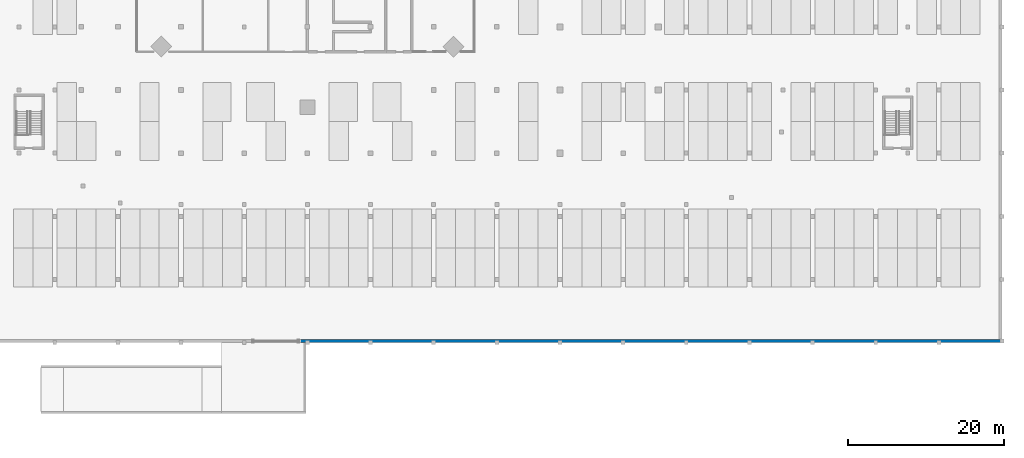
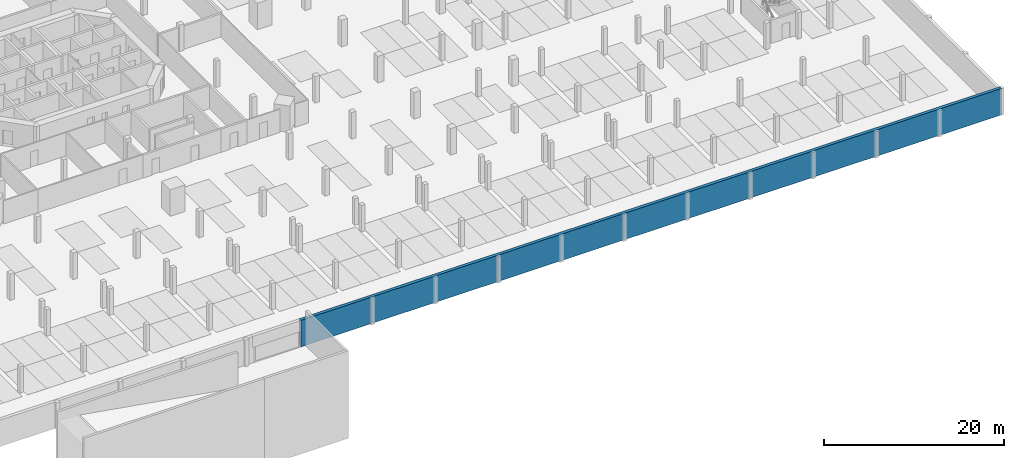
# One storey, part 5 of 14: 1 wall.
"""IFC4 building model written with IfcOpenShell, lengths in metres."""

import ifcopenshell
import ifcopenshell.guid

model = None  # the IFC model being written
_history = None  # IfcOwnerHistory: only IFC2X3 demands one
_inside = {}  # id of a spatial element -> (the spatial element, [elements in it])
_under = {}  # id of a project, library or spatial element -> (it, [spatial elements below it])
_declared = {}  # id of a project -> (the project, [libraries it declares])
_typed = {}  # id of a type object -> (the type object, [elements of that type])
_made_of = {}  # id of a material, layer set ... -> (it, [elements and type objects made of it])


def new_model(schema):
    """Start an empty IFC model of exactly this schema.

    Asked for "IFC4X3", IfcOpenShell would pick the latest addendum, in which some entities
    have other attributes; the version numbers below select the first issue.
    IFC2X3 requires an IfcOwnerHistory on every rooted entity: one is made here for all.
    """
    global model, _history
    if schema == "IFC4X3":
        model = ifcopenshell.file(schema_version=(4, 3, 0, 0))
    else:
        model = ifcopenshell.file(schema=schema)
    _inside.clear()
    _under.clear()
    _declared.clear()
    _typed.clear()
    _made_of.clear()
    _history = None
    if model.schema == "IFC2X3":
        org = make("IfcOrganization", Name="unknown")
        user = make(
            "IfcPersonAndOrganization",
            ThePerson=make("IfcPerson", FamilyName="unknown"),
            TheOrganization=org,
        )
        app = make(
            "IfcApplication",
            ApplicationDeveloper=org,
            Version="unknown",
            ApplicationFullName="unknown",
            ApplicationIdentifier="unknown",
        )
        _history = make(
            "IfcOwnerHistory",
            OwningUser=user,
            OwningApplication=app,
            ChangeAction="ADDED",
            CreationDate=0,
        )
    return model


def make(cls, **values):
    """One entity of the class cls with the attributes given. An attribute that is None is left unset."""
    return model.create_entity(
        cls, **{name: value for name, value in values.items() if value is not None}
    )


def rooted(cls, **values):
    """An entity with a GlobalId (a new one), such as an element, a storey or a relation."""
    return make(cls, GlobalId=ifcopenshell.guid.new(), OwnerHistory=_history, **values)


def si_unit(unit_type, name, prefix=None):
    """IfcSIUnit, for example si_unit("LENGTHUNIT", "METRE", prefix="MILLI")."""
    return make("IfcSIUnit", UnitType=unit_type, Prefix=prefix, Name=name)


def assignment(units):
    """IfcUnitAssignment: the units of a project."""
    return None if units is None else make("IfcUnitAssignment", Units=units)


def point(xyz):
    """IfcCartesianPoint."""
    return None if xyz is None else make("IfcCartesianPoint", Coordinates=xyz)


def direction(xyz):
    """IfcDirection."""
    return None if xyz is None else make("IfcDirection", DirectionRatios=xyz)


def frame(location, z_axis=None, x_axis=None):
    """IfcAxis2Placement3D, a coordinate frame: its origin and axes. An axis left out is left unset."""
    return make(
        "IfcAxis2Placement3D",
        Location=point(location),
        Axis=direction(z_axis),
        RefDirection=direction(x_axis),
    )


def frame_2d(location, x_axis=None):
    """IfcAxis2Placement2D, a coordinate frame in the plane: its origin and x axis."""
    return make(
        "IfcAxis2Placement2D", Location=point(location), RefDirection=direction(x_axis)
    )


def origin():
    """The frame at (0, 0, 0) with its axes left unset."""
    return frame((0.0, 0.0, 0.0))


def place(relative_to, where):
    """IfcLocalPlacement: puts the frame where relative to a parent placement (None: the world)."""
    return make(
        "IfcLocalPlacement", PlacementRelTo=relative_to, RelativePlacement=where
    )


def context(
    kind, dimensions, precision=None, world=None, true_north=None, identifier=None
):
    """IfcGeometricRepresentationContext, for example the 3D "Model" context."""
    return make(
        "IfcGeometricRepresentationContext",
        ContextIdentifier=identifier,
        ContextType=kind,
        CoordinateSpaceDimension=dimensions,
        Precision=precision,
        WorldCoordinateSystem=world,
        TrueNorth=true_north,
    )


def subcontext(parent, identifier, kind, view, scale=None):
    """IfcGeometricRepresentationSubContext, for example "Body" below "Model"."""
    return make(
        "IfcGeometricRepresentationSubContext",
        ContextIdentifier=identifier,
        ContextType=kind,
        ParentContext=parent,
        TargetScale=scale,
        TargetView=view,
    )


def project(units=None, contexts=None):
    """IfcProject with its units and contexts."""
    return rooted(
        "IfcProject",
        Name="project",
        RepresentationContexts=contexts,
        UnitsInContext=assignment(units),
    )


def spatial(cls, under=None, at=None, **own):
    """A site, building, storey or space (cls), placed at a placement, below another one or the project."""
    s = rooted(cls, ObjectPlacement=at, **own)
    if under is not None:
        _under.setdefault(under.id(), (under, []))[1].append(s)
    return s


def profile(cls, at=None, kind="AREA", **sizes):
    """A parametric profile (cls). Its sizes go by their IFC names, for example OverallWidth=200.0."""
    return make(cls, ProfileType=kind, Position=at, **sizes)


def rectangle(**sizes):
    """IfcRectangleProfileDef."""
    return profile("IfcRectangleProfileDef", **sizes)


def extrude(swept, where, along, depth):
    """IfcExtrudedAreaSolid: the profile swept, set in the frame where, extruded along a direction by depth."""
    return make(
        "IfcExtrudedAreaSolid",
        SweptArea=swept,
        Position=where,
        ExtrudedDirection=direction(along),
        Depth=depth,
    )


def shape(context_of_items, identifier, shape_type, items):
    """IfcShapeRepresentation: the items that make up one representation, for example the "Body"."""
    return make(
        "IfcShapeRepresentation",
        ContextOfItems=context_of_items,
        RepresentationIdentifier=identifier,
        RepresentationType=shape_type,
        Items=items,
    )


def material(Name=None, Category=None):
    """IfcMaterial."""
    return make("IfcMaterial", Name=Name, Category=Category)


def layer(
    of_material, thickness, ventilated=None, Name=None, Category=None, Priority=None
):
    """IfcMaterialLayer: one layer of a wall or slab, of a material (None: an air gap)."""
    return make(
        "IfcMaterialLayer",
        Material=of_material,
        LayerThickness=thickness,
        IsVentilated=ventilated,
        Name=Name,
        Category=Category,
        Priority=Priority,
    )


def layer_set(layers, Name=None):
    """IfcMaterialLayerSet."""
    return make("IfcMaterialLayerSet", MaterialLayers=layers, LayerSetName=Name)


def made_of(thing, what):
    """Note that an element or type object is made of a material, layer set ...; save() writes the relation."""
    if what is not None:
        _made_of.setdefault(what.id(), (what, []))[1].append(thing)
    return thing


def type_object(cls, material=None, **own):
    """A type object (cls), such as IfcWallType, which elements share."""
    return made_of(rooted(cls, **own), material)


def element(
    cls,
    number,
    at=None,
    inside=None,
    cuts=None,
    type_object=None,
    material=None,
    context=None,
    identifier="Body",
    shape_type=None,
    held_by="IfcProductDefinitionShape",
    body=None,
    shapes=None,
    **own,
):
    """One element of the class cls, such as IfcWall. Its Tag is "e" and its number.

    at: its placement. inside: the storey or other place that contains it. cuts: it is an
    opening in that element (IfcRelVoidsElement). A single representation is given by context,
    identifier, shape_type and body (its items); several are given by shapes. held_by: the class
    of the entity that holds the representations. save() writes the other relations.
    """
    e = rooted(cls, Tag="e%d" % number, ObjectPlacement=at, **own)
    if body is not None:
        shapes = [shape(context, identifier, shape_type, body)]
    if shapes is not None:
        e.Representation = make(held_by, Representations=shapes)
    if inside is not None:
        _inside.setdefault(inside.id(), (inside, []))[1].append(e)
    if cuts is not None:
        rooted(
            "IfcRelVoidsElement", RelatingBuildingElement=cuts, RelatedOpeningElement=e
        )
    if type_object is not None:
        _typed.setdefault(type_object.id(), (type_object, []))[1].append(e)
    return made_of(e, material)


def aggregate(whole, parts):
    """IfcRelAggregates: a whole, such as a stair, and the parts it consists of."""
    return rooted("IfcRelAggregates", RelatingObject=whole, RelatedObjects=parts)


def save(model, path):
    """Write the relations noted so far, then the file.

    IfcRelAggregates (storeys below a building ...), IfcRelContainedInSpatialStructure (elements
    in a storey), IfcRelDefinesByType, IfcRelAssociatesMaterial and IfcRelDeclares: one each for
    every whole, place, type object, material and project.
    """
    for whole, parts in _under.values():
        aggregate(whole, parts)
    for where, things in _inside.values():
        rooted(
            "IfcRelContainedInSpatialStructure",
            RelatedElements=things,
            RelatingStructure=where,
        )
    for kind, things in _typed.values():
        rooted("IfcRelDefinesByType", RelatedObjects=things, RelatingType=kind)
    for what, things in _made_of.values():
        rooted("IfcRelAssociatesMaterial", RelatedObjects=things, RelatingMaterial=what)
    for by, libraries in _declared.values():
        rooted("IfcRelDeclares", RelatingContext=by, RelatedDefinitions=libraries)
    model.write(path)


model = new_model("IFC4")

# Units and contexts
model_context = context("Model", 3, precision=1e-05, world=origin(), true_north=direction((0.0, 1.0)))
body_context = subcontext(model_context, "Body", "Model", "MODEL_VIEW")
ifc_project = project(units=[si_unit("LENGTHUNIT", "METRE"), si_unit("AREAUNIT", "SQUARE_METRE"), si_unit("VOLUMEUNIT", "CUBIC_METRE"), si_unit("PLANEANGLEUNIT", "RADIAN"), si_unit("MASSUNIT", "GRAM", prefix="KILO")], contexts=[model_context])

# Site, building, storey
site_placement = place(None, origin())
site = spatial("IfcSite", under=ifc_project, at=site_placement, CompositionType="ELEMENT")
building_placement = place(site_placement, origin())
building = spatial("IfcBuilding", under=site, at=building_placement, Name="Torre Triforio", CompositionType="ELEMENT")
storey_placement = place(building_placement, frame((0.0, 0.0, -3.60009765625)))
storey = spatial("IfcBuildingStorey", under=building, at=storey_placement, Name="B1", CompositionType="ELEMENT", Elevation=-3.60009765625)

# Wall
ifc_material = material(Name="Concrete C40", Category="concrete")
ifc_layer = layer(ifc_material, 0.39990234375)
ifc_layer_set = layer_set([ifc_layer], Name="Concrete C40")
wall_type = type_object("IfcWallType", Name="Retaining wall 400 C40", PredefinedType="SOLIDWALL", material=ifc_layer_set)
wall_placement = place(storey_placement, frame((-1.050048828125, -56.5, 0.0), z_axis=(0.0, 0.0, 1.0), x_axis=(1.0, 0.0, 0.0)))
element("IfcWall", 1, at=wall_placement, inside=storey, type_object=wall_type, Name="WL.RET.B1.S.2", PredefinedType="SOLIDWALL", context=body_context, shape_type="SweptSolid", body=[
    extrude(rectangle(XDim=90.150146484375, YDim=0.39990234375, at=frame_2d((45.0751953125, 0.0))), origin(), (0.0, 0.0, 1.0), 3.60009765625),
])

save(model, "model.ifc")
